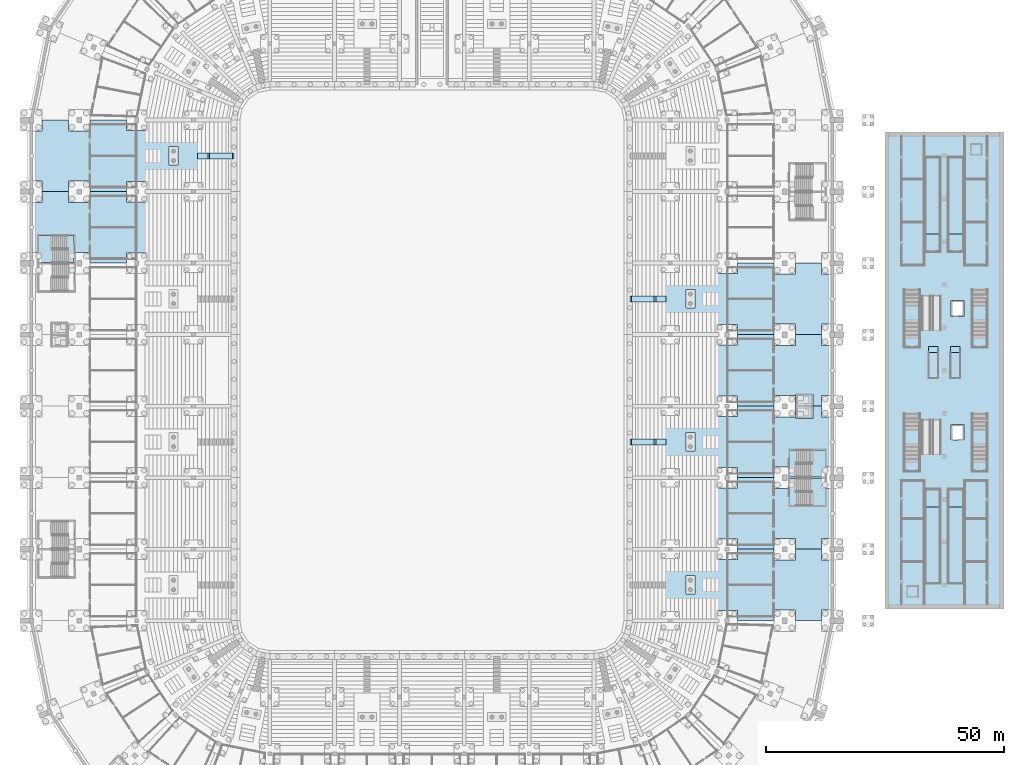
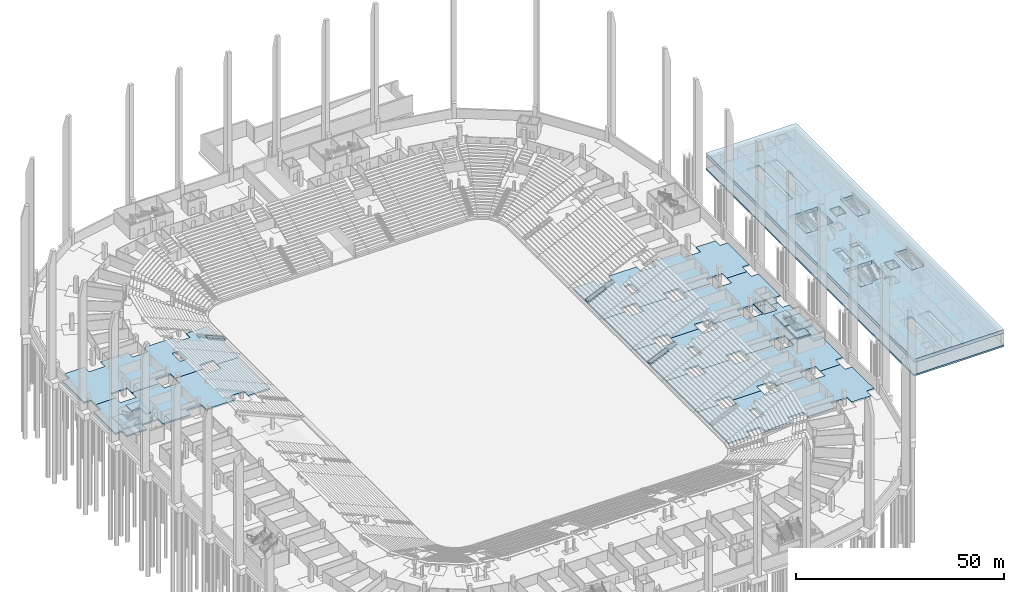
# One storey, part 18 of 115: 28 slabs, 7 elements without a shape of their own.
"""IFC4 building model written with IfcOpenShell, lengths in metres."""

from ifc_helpers import new_model, si_unit, direction, frame, origin, place, context, subcontext, project, spatial, polyline, outline, extrude, material, layer, layer_set, type_object, element, aggregate, save


model = new_model("IFC4")

# Units and contexts
model_context = context("Model", 3, precision=1e-05, world=origin(), true_north=direction((0.0, 1.0)))
body_context = subcontext(model_context, "Body", "Model", "MODEL_VIEW")
ifc_project = project(units=[si_unit("LENGTHUNIT", "METRE"), si_unit("AREAUNIT", "SQUARE_METRE"), si_unit("VOLUMEUNIT", "CUBIC_METRE"), si_unit("PLANEANGLEUNIT", "RADIAN"), si_unit("MASSUNIT", "GRAM", prefix="KILO")], contexts=[model_context])

# Site, building, storey
site_placement = place(None, origin())
site = spatial("IfcSite", under=ifc_project, at=site_placement, CompositionType="ELEMENT")
building_placement = place(site_placement, origin())
building = spatial("IfcBuilding", under=site, at=building_placement, Name="Ogive Plaza Stadium", CompositionType="ELEMENT")
storey_placement = place(building_placement, frame((0.0, 0.0, -4.5)))
storey = spatial("IfcBuildingStorey", under=building, at=storey_placement, Name="B1", CompositionType="ELEMENT", Elevation=-4.5)

# Slabs
ifc_material_1 = material(Name="Concrete C40/50", Category="concrete")
ifc_layer_1 = layer(ifc_material_1, 0.75927734375)
ifc_layer_set_1 = layer_set([ifc_layer_1], Name="Concrete C40/50")
ifc_layer_2 = layer(ifc_material_1, 0.449951171875)
ifc_layer_set_2 = layer_set([ifc_layer_2], Name="Concrete C40/50")
slab_type_1 = type_object("IfcSlabType", Name="Aisle stair slab 1300", PredefinedType="USERDEFINED", material=ifc_layer_set_2)
slab_1_placement = place(storey_placement, frame((41.5, 15.0, 4.5), z_axis=(0.0, 0.0, 1.0), x_axis=(1.0, 0.0, 0.0)))
element("IfcSlab", 1, at=slab_1_placement, inside=storey, type_object=slab_type_1, material=ifc_layer_set_1, Name="Aisle stair SA03D slab 1", ObjectType="AISLE STAIR SLAB", PredefinedType="USERDEFINED", context=body_context, shape_type="SweptSolid", body=[
    extrude(outline(polyline([(0.0, -3.375), (0.37158203125, -3.375), (5.10009765625, -1.288818359375), (5.10009765625, -1.699951171875), (5.01220703125, -1.73876953125), (4.8623046875, -1.804931640625), (4.71240234375, -1.87109375), (4.562255859375, -1.937255859375), (4.412353515625, -2.00341796875), (4.26220703125, -2.069580078125), (4.1123046875, -2.1357421875), (3.96240234375, -2.201904296875), (3.812255859375, -2.26806640625), (3.662353515625, -2.334228515625), (3.51220703125, -2.400390625), (3.3623046875, -2.466552734375), (3.21240234375, -2.53271484375), (3.062255859375, -2.59912109375), (2.912353515625, -2.665283203125), (2.76220703125, -2.731201171875), (2.6123046875, -2.797607421875), (2.46240234375, -2.86376953125), (2.312255859375, -2.929931640625), (2.162353515625, -2.99609375), (2.01220703125, -3.062255859375), (1.8623046875, -3.12841796875), (1.71240234375, -3.194580078125), (1.562255859375, -3.2607421875), (1.412353515625, -3.326904296875), (1.26220703125, -3.39306640625), (1.1123046875, -3.459228515625), (0.96240234375, -3.525390625), (0.812255859375, -3.591552734375), (0.662353515625, -3.65771484375), (0.60009765625, -3.685302734375), (0.60009765625, -3.949951171875), (0.51220703125, -3.949951171875), (0.3623046875, -3.949951171875), (0.21240234375, -3.949951171875), (0.0, -3.375)])), frame((0.0, 0.64990234375, 0.0), z_axis=(0.0, -1.0, 0.0), x_axis=(1.0, 0.0, 0.0)), (0.0, 0.0, 1.0), 1.300048828125),
])
ifc_layer_3 = layer(ifc_material_1, 0.5380859375)
ifc_layer_set_3 = layer_set([ifc_layer_3], Name="Concrete C40/50")
slab_2_placement = place(storey_placement, frame((46.60009765625, 15.0, 4.5), z_axis=(0.0, 0.0, 1.0), x_axis=(1.0, 0.0, 0.0)))
element("IfcSlab", 2, at=slab_2_placement, inside=storey, type_object=slab_type_1, material=ifc_layer_set_3, Name="Aisle stair SA03D slab 2", ObjectType="AISLE STAIR SLAB", PredefinedType="USERDEFINED", context=body_context, shape_type="SweptSolid", body=[
    extrude(outline(polyline([(0.0, -1.125), (0.37158203125, -1.125), (2.550048828125, -0.163818359375), (2.550048828125, -0.574951171875), (2.39990234375, -0.64111328125), (2.25, -0.70751953125), (2.10009765625, -0.7734375), (1.949951171875, -0.839599609375), (1.800048828125, -0.906005859375), (1.64990234375, -0.97216796875), (1.5, -1.0380859375), (1.35009765625, -1.1044921875), (1.199951171875, -1.170654296875), (1.050048828125, -1.23681640625), (0.89990234375, -1.302978515625), (0.75, -1.369140625), (0.60009765625, -1.435302734375), (0.449951171875, -1.50146484375), (0.300048828125, -1.567626953125), (0.14990234375, -1.6337890625), (0.0, -1.699951171875), (0.0, -1.125)])), frame((0.0, 0.64990234375, 0.0), z_axis=(0.0, -1.0, 0.0), x_axis=(1.0, 0.0, 0.0)), (0.0, 0.0, 1.0), 1.300048828125),
])
slab_3_placement = place(storey_placement, frame((41.5, -15.0, 4.5), z_axis=(0.0, 0.0, 1.0), x_axis=(1.0, 0.0, 0.0)))
element("IfcSlab", 3, at=slab_3_placement, inside=storey, type_object=slab_type_1, material=ifc_layer_set_1, Name="Aisle stair SA05D slab 1", ObjectType="AISLE STAIR SLAB", PredefinedType="USERDEFINED", context=body_context, shape_type="SweptSolid", body=[
    extrude(outline(polyline([(0.0, -3.375), (0.37158203125, -3.375), (5.10009765625, -1.288818359375), (5.10009765625, -1.699951171875), (5.01220703125, -1.73876953125), (4.8623046875, -1.804931640625), (4.71240234375, -1.87109375), (4.562255859375, -1.937255859375), (4.412353515625, -2.00341796875), (4.26220703125, -2.069580078125), (4.1123046875, -2.1357421875), (3.96240234375, -2.201904296875), (3.812255859375, -2.26806640625), (3.662353515625, -2.334228515625), (3.51220703125, -2.400390625), (3.3623046875, -2.466552734375), (3.21240234375, -2.53271484375), (3.062255859375, -2.59912109375), (2.912353515625, -2.665283203125), (2.76220703125, -2.731201171875), (2.6123046875, -2.797607421875), (2.46240234375, -2.86376953125), (2.312255859375, -2.929931640625), (2.162353515625, -2.99609375), (2.01220703125, -3.062255859375), (1.8623046875, -3.12841796875), (1.71240234375, -3.194580078125), (1.562255859375, -3.2607421875), (1.412353515625, -3.326904296875), (1.26220703125, -3.39306640625), (1.1123046875, -3.459228515625), (0.96240234375, -3.525390625), (0.812255859375, -3.591552734375), (0.662353515625, -3.65771484375), (0.60009765625, -3.685302734375), (0.60009765625, -3.949951171875), (0.51220703125, -3.949951171875), (0.3623046875, -3.949951171875), (0.21240234375, -3.949951171875), (0.0, -3.375)])), frame((0.0, 0.64990234375, 0.0), z_axis=(0.0, -1.0, 0.0), x_axis=(1.0, 0.0, 0.0)), (0.0, 0.0, 1.0), 1.300048828125),
])
slab_4_placement = place(storey_placement, frame((46.60009765625, -15.0, 4.5), z_axis=(0.0, 0.0, 1.0), x_axis=(1.0, 0.0, 0.0)))
element("IfcSlab", 4, at=slab_4_placement, inside=storey, type_object=slab_type_1, material=ifc_layer_set_3, Name="Aisle stair SA05D slab 2", ObjectType="AISLE STAIR SLAB", PredefinedType="USERDEFINED", context=body_context, shape_type="SweptSolid", body=[
    extrude(outline(polyline([(0.0, -1.125), (0.37158203125, -1.125), (2.550048828125, -0.163818359375), (2.550048828125, -0.574951171875), (2.39990234375, -0.64111328125), (2.25, -0.70751953125), (2.10009765625, -0.7734375), (1.949951171875, -0.839599609375), (1.800048828125, -0.906005859375), (1.64990234375, -0.97216796875), (1.5, -1.0380859375), (1.35009765625, -1.1044921875), (1.199951171875, -1.170654296875), (1.050048828125, -1.23681640625), (0.89990234375, -1.302978515625), (0.75, -1.369140625), (0.60009765625, -1.435302734375), (0.449951171875, -1.50146484375), (0.300048828125, -1.567626953125), (0.14990234375, -1.6337890625), (0.0, -1.699951171875), (0.0, -1.125)])), frame((0.0, 0.64990234375, 0.0), z_axis=(0.0, -1.0, 0.0), x_axis=(1.0, 0.0, 0.0)), (0.0, 0.0, 1.0), 1.300048828125),
])
slab_5_placement = place(storey_placement, frame((-41.5, 45.0, 4.5), z_axis=(0.0, 0.0, 1.0), x_axis=(-1.0, 0.0, 0.0)))
element("IfcSlab", 5, at=slab_5_placement, inside=storey, type_object=slab_type_1, material=ifc_layer_set_1, Name="Aisle stair SA27D slab 1", ObjectType="AISLE STAIR SLAB", PredefinedType="USERDEFINED", context=body_context, shape_type="SweptSolid", body=[
    extrude(outline(polyline([(0.0, -3.375), (0.37158203125, -3.375), (5.10009765625, -1.288818359375), (5.10009765625, -1.699951171875), (5.01220703125, -1.73876953125), (4.8623046875, -1.804931640625), (4.71240234375, -1.87109375), (4.562255859375, -1.937255859375), (4.412353515625, -2.00341796875), (4.26220703125, -2.069580078125), (4.1123046875, -2.1357421875), (3.96240234375, -2.201904296875), (3.812255859375, -2.26806640625), (3.662353515625, -2.334228515625), (3.51220703125, -2.400390625), (3.3623046875, -2.466552734375), (3.21240234375, -2.53271484375), (3.062255859375, -2.59912109375), (2.912353515625, -2.665283203125), (2.76220703125, -2.731201171875), (2.6123046875, -2.797607421875), (2.46240234375, -2.86376953125), (2.312255859375, -2.929931640625), (2.162353515625, -2.99609375), (2.01220703125, -3.062255859375), (1.8623046875, -3.12841796875), (1.71240234375, -3.194580078125), (1.562255859375, -3.2607421875), (1.412353515625, -3.326904296875), (1.26220703125, -3.39306640625), (1.1123046875, -3.459228515625), (0.96240234375, -3.525390625), (0.812255859375, -3.591552734375), (0.662353515625, -3.65771484375), (0.60009765625, -3.685302734375), (0.60009765625, -3.949951171875), (0.51220703125, -3.949951171875), (0.3623046875, -3.949951171875), (0.21240234375, -3.949951171875), (0.0, -3.375)])), frame((0.0, 0.64990234375, 0.0), z_axis=(0.0, -1.0, 0.0), x_axis=(1.0, 0.0, 0.0)), (0.0, 0.0, 1.0), 1.300048828125),
])
slab_6_placement = place(storey_placement, frame((-46.60009765625, 45.0, 4.5), z_axis=(0.0, 0.0, 1.0), x_axis=(-1.0, 0.0, 0.0)))
element("IfcSlab", 6, at=slab_6_placement, inside=storey, type_object=slab_type_1, material=ifc_layer_set_3, Name="Aisle stair SA27D slab 2", ObjectType="AISLE STAIR SLAB", PredefinedType="USERDEFINED", context=body_context, shape_type="SweptSolid", body=[
    extrude(outline(polyline([(0.0, -1.125), (0.37158203125, -1.125), (2.550048828125, -0.163818359375), (2.550048828125, -0.574951171875), (2.39990234375, -0.64111328125), (2.25, -0.70751953125), (2.10009765625, -0.7734375), (1.949951171875, -0.839599609375), (1.800048828125, -0.906005859375), (1.64990234375, -0.97216796875), (1.5, -1.0380859375), (1.35009765625, -1.1044921875), (1.199951171875, -1.170654296875), (1.050048828125, -1.23681640625), (0.89990234375, -1.302978515625), (0.75, -1.369140625), (0.60009765625, -1.435302734375), (0.449951171875, -1.50146484375), (0.300048828125, -1.567626953125), (0.14990234375, -1.6337890625), (0.0, -1.699951171875), (0.0, -1.125)])), frame((0.0, 0.64990234375, 0.0), z_axis=(0.0, -1.0, 0.0), x_axis=(1.0, 0.0, 0.0)), (0.0, 0.0, 1.0), 1.300048828125),
])
ifc_material_2 = material(Name="Concrete C40/50", Category="concrete")
ifc_layer_4 = layer(ifc_material_2, 0.300048828125)
ifc_layer_set_4 = layer_set([ifc_layer_4], Name="Concrete C40/50")
slab_type_2 = type_object("IfcSlabType", Name="Escalator landing plate 300", PredefinedType="LANDING", material=ifc_layer_set_4)
slab_7_placement = place(storey_placement, frame((0.0, 0.0, -0.300048828125)))
element("IfcSlab", 7, at=slab_7_placement, inside=storey, type_object=slab_type_2, Name="Escalator landing plate", PredefinedType="LANDING", context=body_context, shape_type="SweptSolid", body=[
    extrude(outline(polyline([(104.199951171875, 3.800048828125), (106.199951171875, 3.800048828125), (106.199951171875, 5.0), (104.199951171875, 5.0), (104.199951171875, 3.800048828125)])), origin(), (0.0, 0.0, 1.0), 0.300048828125),
])
slab_8_placement = place(storey_placement, frame((0.0, 0.0, -0.300048828125)))
element("IfcSlab", 8, at=slab_8_placement, inside=storey, type_object=slab_type_2, Name="Escalator landing plate", PredefinedType="LANDING", context=body_context, shape_type="SweptSolid", body=[
    extrude(outline(polyline([(108.800048828125, 3.800048828125), (110.800048828125, 3.800048828125), (110.800048828125, 5.0), (108.800048828125, 5.0), (108.800048828125, 3.800048828125)])), origin(), (0.0, 0.0, 1.0), 0.300048828125),
])
ifc_material_3 = material(Name="Concrete C40/50", Category="concrete")
ifc_layer_5 = layer(ifc_material_3, 0.39990234375)
ifc_layer_set_5 = layer_set([ifc_layer_5], Name="Concrete C40/50")
slab_type_3 = type_object("IfcSlabType", Name="Lift pit slab", PredefinedType="BASESLAB", material=ifc_layer_set_5)
slab_9_placement = place(storey_placement, frame((0.0, 0.0, -1.610107421875)))
element("IfcSlab", 9, at=slab_9_placement, inside=storey, type_object=slab_type_3, Name="Lift pit slab LP05", PredefinedType="BASESLAB", context=body_context, shape_type="SweptSolid", body=[
    extrude(outline(polyline([(76.39990234375, -10.074951171875), (79.89990234375, -10.074951171875), (79.89990234375, -4.925048828125), (76.39990234375, -4.925048828125), (76.39990234375, -10.074951171875)])), origin(), (0.0, 0.0, 1.0), 0.41015625),
])
ifc_material_4 = material(Name="Concrete C40/50", Category="concrete")
ifc_layer_6 = layer(ifc_material_4, 0.5)
ifc_layer_set_6 = layer_set([ifc_layer_6], Name="Concrete C40/50")
slab_type_4 = type_object("IfcSlabType", Name="Mezzanine slab 500", PredefinedType="FLOOR", material=ifc_layer_set_6)
slab_10_placement = place(storey_placement, frame((0.0, 0.0, -0.5)))
element("IfcSlab", 10, at=slab_10_placement, inside=storey, type_object=slab_type_4, Name="Ticket hall slab", PredefinedType="FLOOR", context=body_context, shape_type="SweptSolid", body=[
    extrude(outline(polyline([(95.0, -50.0), (120.0, -50.0), (120.0, 50.0), (95.0, 50.0), (95.0, -50.0)]), holes=[polyline([(106.75, -44.800048828125), (106.75, -28.60009765625), (103.35009765625, -28.60009765625), (103.35009765625, -44.800048828125), (106.75, -44.800048828125)]), polyline([(111.64990234375, -44.800048828125), (111.64990234375, -28.60009765625), (108.25, -28.60009765625), (108.25, -44.800048828125), (111.64990234375, -44.800048828125)]), polyline([(106.75, 28.60009765625), (106.75, 44.800048828125), (103.35009765625, 44.800048828125), (103.35009765625, 28.60009765625), (106.75, 28.60009765625)]), polyline([(111.64990234375, 28.60009765625), (111.64990234375, 44.800048828125), (108.25, 44.800048828125), (108.25, 28.60009765625), (111.64990234375, 28.60009765625)]), polyline([(106.199951171875, -1.649658203125), (106.199951171875, 5.0), (104.199951171875, 5.0), (104.199951171875, -1.649658203125), (106.199951171875, -1.649658203125)]), polyline([(110.800048828125, -1.649658203125), (110.800048828125, 5.0), (108.800048828125, 5.0), (108.800048828125, -1.649658203125), (110.800048828125, -1.649658203125)]), polyline([(111.60009765625, -14.64990234375), (111.60009765625, -11.35009765625), (108.89990234375, -11.35009765625), (108.89990234375, -14.64990234375), (111.60009765625, -14.64990234375)]), polyline([(111.60009765625, 11.35009765625), (111.60009765625, 14.64990234375), (108.89990234375, 14.64990234375), (108.89990234375, 11.35009765625), (111.60009765625, 11.35009765625)])]), origin(), (0.0, 0.0, 1.0), 0.5),
])
ifc_material_5 = material(Name="Concrete C40/50", Category="concrete")
ifc_layer_7 = layer(ifc_material_5, 1.0)
ifc_layer_set_7 = layer_set([ifc_layer_7], Name="Concrete C40/50")
slab_type_5 = type_object("IfcSlabType", Name="Plaza deck slab 1000", PredefinedType="FLOOR", material=ifc_layer_set_7)
slab_11_placement = place(storey_placement, frame((0.0, 0.0, 3.5)))
element("IfcSlab", 11, at=slab_11_placement, inside=storey, type_object=slab_type_5, Name="Plaza deck slab", PredefinedType="FLOOR", context=body_context, shape_type="SweptSolid", body=[
    extrude(outline(polyline([(95.0, -50.0), (120.0, -50.0), (120.0, 50.0), (95.0, 50.0), (95.0, -50.0)]), holes=[polyline([(111.60009765625, -14.64990234375), (111.60009765625, -11.35009765625), (108.89990234375, -11.35009765625), (108.89990234375, -14.64990234375), (111.60009765625, -14.64990234375)]), polyline([(106.89990234375, -16.515869140625), (106.89990234375, -9.0), (102.699951171875, -9.0), (102.699951171875, -16.515869140625), (106.89990234375, -16.515869140625)]), polyline([(102.39990234375, -17.313720703125), (102.39990234375, -9.0), (99.0, -9.0), (99.0, -17.313720703125), (102.39990234375, -17.313720703125)]), polyline([(116.60009765625, -17.313720703125), (116.60009765625, -9.0), (113.199951171875, -9.0), (113.199951171875, -17.313720703125), (116.60009765625, -17.313720703125)]), polyline([(111.60009765625, 11.35009765625), (111.60009765625, 14.64990234375), (108.89990234375, 14.64990234375), (108.89990234375, 11.35009765625), (111.60009765625, 11.35009765625)]), polyline([(106.89990234375, 9.484130859375), (106.89990234375, 17.0), (102.699951171875, 17.0), (102.699951171875, 9.484130859375), (106.89990234375, 9.484130859375)]), polyline([(102.39990234375, 8.686279296875), (102.39990234375, 17.0), (99.0, 17.0), (99.0, 8.686279296875), (102.39990234375, 8.686279296875)]), polyline([(116.60009765625, 8.686279296875), (116.60009765625, 17.0), (113.199951171875, 17.0), (113.199951171875, 8.686279296875), (116.60009765625, 8.686279296875)])]), origin(), (0.0, 0.0, 1.0), 1.0),
])
ifc_material_6 = material(Name="Concrete C40/50", Category="concrete")
ifc_layer_8 = layer(ifc_material_6, 0.449951171875)
ifc_layer_set_8 = layer_set([ifc_layer_8], Name="Concrete C40/50")
slab_type_6 = type_object("IfcSlabType", Name="RC ground slab 450", PredefinedType="BASESLAB", material=ifc_layer_set_8)
slab_12_placement = place(storey_placement, frame((0.0, 0.0, -0.39990234375)))
element("IfcSlab", 12, at=slab_12_placement, inside=storey, type_object=slab_type_6, Name="Ground slab B1 B03", PredefinedType="BASESLAB", context=body_context, shape_type="SweptSolid", body=[
    extrude(outline(polyline([(48.050048828125, 7.5), (48.050048828125, 9.449951171875), (51.949951171875, 9.449951171875), (51.949951171875, 7.5), (59.75, 7.5), (59.75, 9.64990234375), (64.050048828125, 9.64990234375), (64.050048828125, 7.5), (71.75, 7.5), (71.75, 9.75), (76.25, 9.75), (76.25, 7.5), (81.75, 7.5), (81.75, 9.75), (83.75, 9.75), (83.75, 20.25), (81.75, 20.25), (81.75, 22.5), (76.25, 22.5), (76.25, 20.25), (71.75, 20.25), (71.75, 22.5), (64.050048828125, 22.5), (64.050048828125, 20.35009765625), (59.75, 20.35009765625), (59.75, 22.5), (51.949951171875, 22.5), (51.949951171875, 20.550048828125), (48.050048828125, 20.550048828125), (48.050048828125, 22.5), (42.10009765625, 22.5), (42.10009765625, 7.5), (48.050048828125, 7.5)]), holes=[polyline([(55.14990234375, 16.949951171875), (53.25, 16.949951171875), (53.25, 13.050048828125), (55.14990234375, 13.050048828125), (55.14990234375, 16.949951171875)])]), origin(), (0.0, 0.0, 1.0), 0.449951171875),
])
slab_13_placement = place(storey_placement, frame((0.0, 0.0, -0.39990234375)))
element("IfcSlab", 13, at=slab_13_placement, inside=storey, type_object=slab_type_6, Name="Ground slab B1 B04", PredefinedType="BASESLAB", context=body_context, shape_type="SweptSolid", body=[
    extrude(outline(polyline([(48.050048828125, -7.5), (48.050048828125, -5.550048828125), (51.949951171875, -5.550048828125), (51.949951171875, -7.5), (59.75, -7.5), (59.75, -5.35009765625), (64.050048828125, -5.35009765625), (64.050048828125, -7.5), (71.75, -7.5), (71.75, -5.25), (76.25, -5.25), (76.25, -7.5), (76.39990234375, -7.5), (76.39990234375, -4.925048828125), (79.89990234375, -4.925048828125), (79.89990234375, -7.5), (81.75, -7.5), (81.75, -5.25), (83.75, -5.25), (83.75, 5.25), (81.75, 5.25), (81.75, 7.5), (76.25, 7.5), (76.25, 5.25), (71.75, 5.25), (71.75, 7.5), (64.050048828125, 7.5), (64.050048828125, 5.35009765625), (59.75, 5.35009765625), (59.75, 7.5), (51.949951171875, 7.5), (51.949951171875, 5.550048828125), (48.050048828125, 5.550048828125), (48.050048828125, 7.5), (42.10009765625, 7.5), (42.10009765625, -7.5), (48.050048828125, -7.5)])), origin(), (0.0, 0.0, 1.0), 0.449951171875),
])
slab_14_placement = place(storey_placement, frame((0.0, 0.0, -0.39990234375)))
element("IfcSlab", 14, at=slab_14_placement, inside=storey, type_object=slab_type_6, Name="Ground slab B1 B05", PredefinedType="BASESLAB", context=body_context, shape_type="SweptSolid", body=[
    extrude(outline(polyline([(48.050048828125, -22.5), (48.050048828125, -20.550048828125), (51.949951171875, -20.550048828125), (51.949951171875, -22.5), (59.75, -22.5), (59.75, -20.35009765625), (64.050048828125, -20.35009765625), (64.050048828125, -22.5), (71.75, -22.5), (71.75, -20.25), (76.25, -20.25), (76.25, -22.5), (81.75, -22.5), (81.75, -20.25), (83.75, -20.25), (83.75, -9.75), (81.75, -9.75), (81.75, -7.5), (79.89990234375, -7.5), (79.89990234375, -10.074951171875), (76.39990234375, -10.074951171875), (76.39990234375, -7.5), (76.25, -7.5), (76.25, -9.75), (71.75, -9.75), (71.75, -7.5), (64.050048828125, -7.5), (64.050048828125, -9.64990234375), (59.75, -9.64990234375), (59.75, -7.5), (51.949951171875, -7.5), (51.949951171875, -9.449951171875), (48.050048828125, -9.449951171875), (48.050048828125, -7.5), (42.10009765625, -7.5), (42.10009765625, -22.5), (48.050048828125, -22.5)]), holes=[polyline([(55.14990234375, -13.050048828125), (53.25, -13.050048828125), (53.25, -16.949951171875), (55.14990234375, -16.949951171875), (55.14990234375, -13.050048828125)])]), origin(), (0.0, 0.0, 1.0), 0.449951171875),
])
slab_15_placement = place(storey_placement, frame((0.0, 0.0, -0.39990234375)))
element("IfcSlab", 15, at=slab_15_placement, inside=storey, type_object=slab_type_6, Name="Ground slab B1 B06", PredefinedType="BASESLAB", context=body_context, shape_type="SweptSolid", body=[
    extrude(outline(polyline([(48.050048828125, -37.5), (48.050048828125, -35.550048828125), (51.949951171875, -35.550048828125), (51.949951171875, -37.5), (59.75, -37.5), (59.75, -35.35009765625), (64.050048828125, -35.35009765625), (64.050048828125, -37.5), (71.75, -37.5), (71.75, -35.25), (76.25, -35.25), (76.25, -37.5), (81.75, -37.5), (81.75, -35.25), (83.75, -35.25), (83.75, -24.75), (81.75, -24.75), (81.75, -22.5), (76.25, -22.5), (76.25, -24.75), (71.75, -24.75), (71.75, -22.5), (64.050048828125, -22.5), (64.050048828125, -24.64990234375), (59.75, -24.64990234375), (59.75, -22.5), (51.949951171875, -22.5), (51.949951171875, -24.449951171875), (48.050048828125, -24.449951171875), (48.050048828125, -22.5), (42.10009765625, -22.5), (42.10009765625, -37.5), (48.050048828125, -37.5)])), origin(), (0.0, 0.0, 1.0), 0.449951171875),
])
slab_16_placement = place(storey_placement, frame((0.0, 0.0, -0.39990234375)))
element("IfcSlab", 16, at=slab_16_placement, inside=storey, type_object=slab_type_6, Name="Ground slab B1 B07", PredefinedType="BASESLAB", context=body_context, shape_type="SweptSolid", body=[
    extrude(outline(polyline([(48.050048828125, -52.5), (48.050048828125, -50.550048828125), (51.949951171875, -50.550048828125), (51.949951171875, -52.5), (59.75, -52.5), (59.75, -50.35009765625), (64.050048828125, -50.35009765625), (64.050048828125, -52.5), (71.75, -52.5), (71.75, -50.25), (76.25, -50.25), (76.25, -52.5), (81.75, -52.5), (81.75, -50.25), (83.75, -50.25), (83.75, -39.75), (81.75, -39.75), (81.75, -37.5), (76.25, -37.5), (76.25, -39.75), (71.75, -39.75), (71.75, -37.5), (64.050048828125, -37.5), (64.050048828125, -39.64990234375), (59.75, -39.64990234375), (59.75, -37.5), (51.949951171875, -37.5), (51.949951171875, -39.449951171875), (48.050048828125, -39.449951171875), (48.050048828125, -37.5), (42.10009765625, -37.5), (42.10009765625, -52.5), (48.050048828125, -52.5)]), holes=[polyline([(55.14990234375, -43.050048828125), (53.25, -43.050048828125), (53.25, -46.949951171875), (55.14990234375, -46.949951171875), (55.14990234375, -43.050048828125)])]), origin(), (0.0, 0.0, 1.0), 0.449951171875),
])
slab_17_placement = place(storey_placement, frame((0.0, 0.0, -0.39990234375)))
element("IfcSlab", 17, at=slab_17_placement, inside=storey, type_object=slab_type_6, Name="Ground slab B1 B26", PredefinedType="BASESLAB", context=body_context, shape_type="SweptSolid", body=[
    extrude(outline(polyline([(-48.050048828125, 37.5), (-48.050048828125, 35.550048828125), (-51.949951171875, 35.550048828125), (-51.949951171875, 37.5), (-59.75, 37.5), (-59.75, 35.35009765625), (-64.050048828125, 35.35009765625), (-64.050048828125, 37.5), (-71.75, 37.5), (-71.75, 35.25), (-76.25, 35.25), (-76.25, 37.5), (-81.75, 37.5), (-81.75, 35.25), (-83.75, 35.25), (-83.75, 24.75), (-81.75, 24.75), (-81.75, 22.5), (-76.25, 22.5), (-76.25, 24.75), (-71.75, 24.75), (-71.75, 22.5), (-64.050048828125, 22.5), (-64.050048828125, 24.64990234375), (-59.75, 24.64990234375), (-59.75, 22.5), (-51.949951171875, 22.5), (-51.949951171875, 24.449951171875), (-48.050048828125, 24.449951171875), (-48.050048828125, 22.5), (-42.10009765625, 22.5), (-42.10009765625, 37.5), (-48.050048828125, 37.5)])), origin(), (0.0, 0.0, 1.0), 0.449951171875),
])
slab_18_placement = place(storey_placement, frame((0.0, 0.0, -0.39990234375)))
element("IfcSlab", 18, at=slab_18_placement, inside=storey, type_object=slab_type_6, Name="Ground slab B1 B27", PredefinedType="BASESLAB", context=body_context, shape_type="SweptSolid", body=[
    extrude(outline(polyline([(-48.050048828125, 52.5), (-48.050048828125, 50.550048828125), (-51.949951171875, 50.550048828125), (-51.949951171875, 52.5), (-59.75, 52.5), (-59.75, 50.35009765625), (-64.050048828125, 50.35009765625), (-64.050048828125, 52.5), (-71.75, 52.5), (-71.75, 50.25), (-76.25, 50.25), (-76.25, 52.5), (-81.75, 52.5), (-81.75, 50.25), (-83.75, 50.25), (-83.75, 39.75), (-81.75, 39.75), (-81.75, 37.5), (-76.25, 37.5), (-76.25, 39.75), (-71.75, 39.75), (-71.75, 37.5), (-64.050048828125, 37.5), (-64.050048828125, 39.64990234375), (-59.75, 39.64990234375), (-59.75, 37.5), (-51.949951171875, 37.5), (-51.949951171875, 39.449951171875), (-48.050048828125, 39.449951171875), (-48.050048828125, 37.5), (-42.10009765625, 37.5), (-42.10009765625, 52.5), (-48.050048828125, 52.5)]), holes=[polyline([(-55.14990234375, 43.050048828125), (-53.25, 43.050048828125), (-53.25, 46.949951171875), (-55.14990234375, 46.949951171875), (-55.14990234375, 43.050048828125)])]), origin(), (0.0, 0.0, 1.0), 0.449951171875),
])

# Stair, slabs
ifc_material_7 = material(Name="Concrete C40/50", Category="concrete")
stair_type_1 = type_object("IfcStairType", Name="Exit stair", PredefinedType="STRAIGHT_RUN_STAIR", material=ifc_material_7)
stair_1_placement = place(storey_placement, origin())
stair_1 = element("IfcStair", 19, at=stair_1_placement, inside=storey, type_object=stair_type_1, Name="Exit stair ST06A B1 to L00", PredefinedType="STRAIGHT_RUN_STAIR")
ifc_material_8 = material(Name="Concrete C40/50", Category="concrete")
ifc_layer_9 = layer(ifc_material_8, 0.39990234375)
ifc_layer_set_9 = layer_set([ifc_layer_9], Name="Concrete C40/50")
slab_type_7 = type_object("IfcSlabType", Name="Stair landing", PredefinedType="LANDING", material=ifc_layer_set_9)
slab_19_placement = place(storey_placement, frame((0.0, 0.0, 1.85009765625)))
slab_19 = element("IfcSlab", 20, at=slab_19_placement, type_object=slab_type_7, Name="ST06A landing 1", PredefinedType="LANDING", context=body_context, shape_type="SweptSolid", body=[
    extrude(outline(polyline([(82.510009765625, -22.625), (82.510009765625, -28.324951171875), (79.7099609375, -28.324951171875), (79.7099609375, -25.425048828125), (77.31005859375, -25.425048828125), (77.31005859375, -22.625), (79.7099609375, -22.625), (82.510009765625, -22.625)])), origin(), (0.0, 0.0, 1.0), 0.39990234375),
])
slab_20_placement = place(storey_placement, frame((0.0, 0.0, 4.10009765625)))
slab_20 = element("IfcSlab", 21, at=slab_20_placement, type_object=slab_type_7, Name="ST06A landing 2", PredefinedType="LANDING", context=body_context, shape_type="SweptSolid", body=[
    extrude(outline(polyline([(78.75, -25.52490234375), (78.75, -28.324951171875), (76.35009765625, -28.324951171875), (75.050048828125, -28.324951171875), (75.050048828125, -22.625), (76.35009765625, -22.625), (76.35009765625, -25.52490234375), (78.75, -25.52490234375)])), origin(), (0.0, 0.0, 1.0), 0.39990234375),
])
aggregate(stair_1, [slab_19, slab_20])

stair_2_placement = place(storey_placement, origin())
stair_2 = element("IfcStair", 22, at=stair_2_placement, inside=storey, type_object=stair_type_1, Name="Exit stair ST06B B1 to L00", PredefinedType="STRAIGHT_RUN_STAIR")
slab_21_placement = place(storey_placement, frame((0.0, 0.0, 1.85009765625)))
slab_21 = element("IfcSlab", 23, at=slab_21_placement, type_object=slab_type_7, Name="ST06B landing 1", PredefinedType="LANDING", context=body_context, shape_type="SweptSolid", body=[
    extrude(outline(polyline([(77.31005859375, -22.375), (77.31005859375, -19.574951171875), (79.7099609375, -19.574951171875), (79.7099609375, -16.675048828125), (82.510009765625, -16.675048828125), (82.510009765625, -22.375), (79.7099609375, -22.375), (77.31005859375, -22.375)])), origin(), (0.0, 0.0, 1.0), 0.39990234375),
])
slab_22_placement = place(storey_placement, frame((0.0, 0.0, 4.10009765625)))
slab_22 = element("IfcSlab", 24, at=slab_22_placement, type_object=slab_type_7, Name="ST06B landing 2", PredefinedType="LANDING", context=body_context, shape_type="SweptSolid", body=[
    extrude(outline(polyline([(76.35009765625, -22.375), (75.050048828125, -22.375), (75.050048828125, -16.675048828125), (76.35009765625, -16.675048828125), (78.75, -16.675048828125), (78.75, -19.47509765625), (76.35009765625, -19.47509765625), (76.35009765625, -22.375)])), origin(), (0.0, 0.0, 1.0), 0.39990234375),
])
aggregate(stair_2, [slab_21, slab_22])

stair_3_placement = place(storey_placement, origin())
stair_3 = element("IfcStair", 25, at=stair_3_placement, inside=storey, type_object=stair_type_1, Name="Exit stair ST26A B1 to L00", PredefinedType="STRAIGHT_RUN_STAIR")
slab_23_placement = place(storey_placement, frame((0.0, 0.0, 1.85009765625)))
slab_23 = element("IfcSlab", 26, at=slab_23_placement, type_object=slab_type_7, Name="ST26A landing 1", PredefinedType="LANDING", context=body_context, shape_type="SweptSolid", body=[
    extrude(outline(polyline([(-82.510009765625, 22.625), (-82.510009765625, 28.324951171875), (-79.7099609375, 28.324951171875), (-79.7099609375, 25.425048828125), (-77.31005859375, 25.425048828125), (-77.31005859375, 22.625), (-79.7099609375, 22.625), (-82.510009765625, 22.625)])), origin(), (0.0, 0.0, 1.0), 0.39990234375),
])
slab_24_placement = place(storey_placement, frame((0.0, 0.0, 4.10009765625)))
slab_24 = element("IfcSlab", 27, at=slab_24_placement, type_object=slab_type_7, Name="ST26A landing 2", PredefinedType="LANDING", context=body_context, shape_type="SweptSolid", body=[
    extrude(outline(polyline([(-78.75, 25.52490234375), (-78.75, 28.324951171875), (-76.35009765625, 28.324951171875), (-75.050048828125, 28.324951171875), (-75.050048828125, 22.625), (-76.35009765625, 22.625), (-76.35009765625, 25.52490234375), (-78.75, 25.52490234375)])), origin(), (0.0, 0.0, 1.0), 0.39990234375),
])
aggregate(stair_3, [slab_23, slab_24])

# Stair, slab
ifc_material_9 = material(Name="Concrete C40/50", Category="concrete")
stair_type_2 = type_object("IfcStairType", Name="Station stair 3000", PredefinedType="TWO_STRAIGHT_RUN_STAIR", material=ifc_material_9)
stair_4_placement = place(storey_placement, origin())
stair_4 = element("IfcStair", 28, at=stair_4_placement, inside=storey, type_object=stair_type_2, Name="Stair QS1", PredefinedType="TWO_STRAIGHT_RUN_STAIR")
ifc_material_10 = material(Name="Concrete C40/50", Category="concrete")
ifc_layer_10 = layer(ifc_material_10, 0.39990234375)
ifc_layer_set_10 = layer_set([ifc_layer_10], Name="Concrete C40/50")
slab_type_8 = type_object("IfcSlabType", Name="Stair landing 400", PredefinedType="LANDING", material=ifc_layer_set_10)
slab_25_placement = place(storey_placement, frame((0.0, 0.0, 1.85009765625)))
slab_25 = element("IfcSlab", 29, at=slab_25_placement, type_object=slab_type_8, Name="QS1 landing 1", PredefinedType="LANDING", context=body_context, shape_type="SweptSolid", body=[
    extrude(outline(polyline([(99.199951171875, -15.639892578125), (102.199951171875, -15.639892578125), (102.199951171875, -10.239990234375), (99.199951171875, -10.239990234375), (99.199951171875, -15.639892578125)])), origin(), (0.0, 0.0, 1.0), 0.39990234375),
])
aggregate(stair_4, [slab_25])

stair_5_placement = place(storey_placement, origin())
stair_5 = element("IfcStair", 30, at=stair_5_placement, inside=storey, type_object=stair_type_2, Name="Stair QS2", PredefinedType="TWO_STRAIGHT_RUN_STAIR")
slab_26_placement = place(storey_placement, frame((0.0, 0.0, 1.85009765625)))
slab_26 = element("IfcSlab", 31, at=slab_26_placement, type_object=slab_type_8, Name="QS2 landing 1", PredefinedType="LANDING", context=body_context, shape_type="SweptSolid", body=[
    extrude(outline(polyline([(113.39990234375, -15.639892578125), (116.39990234375, -15.639892578125), (116.39990234375, -10.239990234375), (113.39990234375, -10.239990234375), (113.39990234375, -15.639892578125)])), origin(), (0.0, 0.0, 1.0), 0.39990234375),
])
aggregate(stair_5, [slab_26])

stair_6_placement = place(storey_placement, origin())
stair_6 = element("IfcStair", 32, at=stair_6_placement, inside=storey, type_object=stair_type_2, Name="Stair QS3", PredefinedType="TWO_STRAIGHT_RUN_STAIR")
slab_27_placement = place(storey_placement, frame((0.0, 0.0, 1.85009765625)))
slab_27 = element("IfcSlab", 33, at=slab_27_placement, type_object=slab_type_8, Name="QS3 landing 1", PredefinedType="LANDING", context=body_context, shape_type="SweptSolid", body=[
    extrude(outline(polyline([(99.199951171875, 10.360107421875), (102.199951171875, 10.360107421875), (102.199951171875, 15.760009765625), (99.199951171875, 15.760009765625), (99.199951171875, 10.360107421875)])), origin(), (0.0, 0.0, 1.0), 0.39990234375),
])
aggregate(stair_6, [slab_27])

stair_7_placement = place(storey_placement, origin())
stair_7 = element("IfcStair", 34, at=stair_7_placement, inside=storey, type_object=stair_type_2, Name="Stair QS4", PredefinedType="TWO_STRAIGHT_RUN_STAIR")
slab_28_placement = place(storey_placement, frame((0.0, 0.0, 1.85009765625)))
slab_28 = element("IfcSlab", 35, at=slab_28_placement, type_object=slab_type_8, Name="QS4 landing 1", PredefinedType="LANDING", context=body_context, shape_type="SweptSolid", body=[
    extrude(outline(polyline([(113.39990234375, 10.360107421875), (116.39990234375, 10.360107421875), (116.39990234375, 15.760009765625), (113.39990234375, 15.760009765625), (113.39990234375, 10.360107421875)])), origin(), (0.0, 0.0, 1.0), 0.39990234375),
])
aggregate(stair_7, [slab_28])

save(model, "model.ifc")
